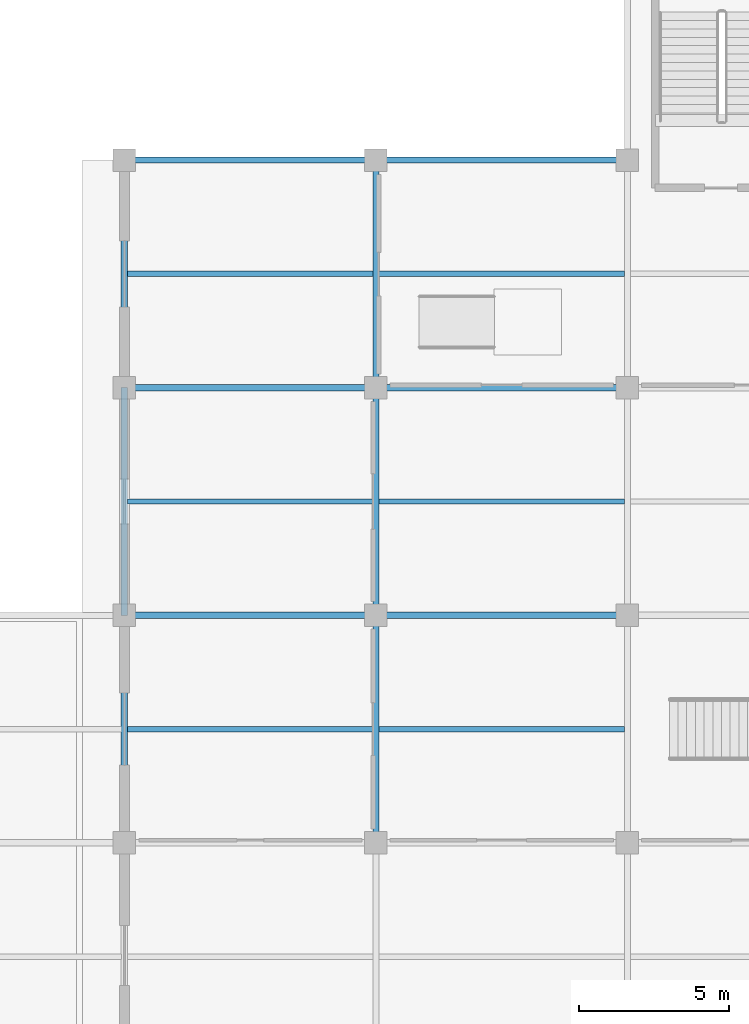
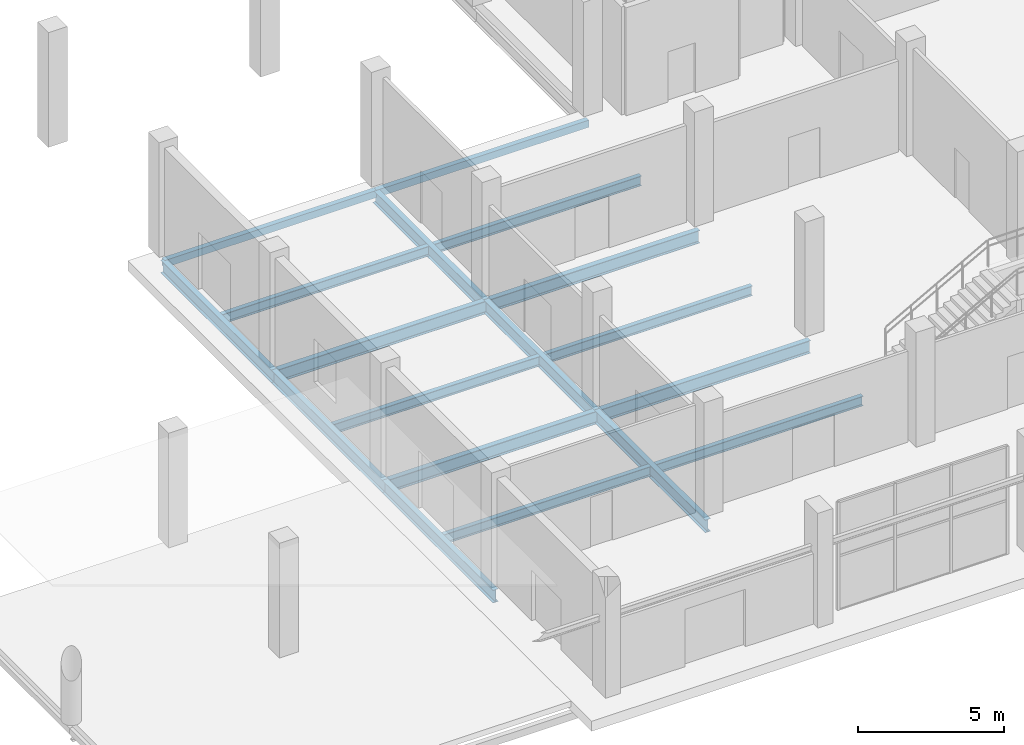
# One storey, part 4 of 36: 18 beams.
"""IFC4 building model written with IfcOpenShell, lengths in metres."""

from ifc_helpers import new_model, si_unit, direction, frame, origin, origin_2d, place, context, subcontext, project, spatial, hollow_rectangle, i_section, extrude, material, material_profile, profile_set, type_object, element, save


model = new_model("IFC4")

# Units and contexts
model_context = context("Model", 3, precision=1e-05, world=origin(), true_north=direction((0.0, 1.0)))
body_context = subcontext(model_context, "Body", "Model", "MODEL_VIEW")
ifc_project = project(units=[si_unit("LENGTHUNIT", "METRE"), si_unit("AREAUNIT", "SQUARE_METRE"), si_unit("VOLUMEUNIT", "CUBIC_METRE"), si_unit("PLANEANGLEUNIT", "RADIAN"), si_unit("MASSUNIT", "GRAM", prefix="KILO")], contexts=[model_context])

# Site, building, storey
site_placement = place(None, origin())
site = spatial("IfcSite", under=ifc_project, at=site_placement, CompositionType="ELEMENT")
building_placement = place(site_placement, origin())
building = spatial("IfcBuilding", under=site, at=building_placement, Name="Zuvorla Pavilion Media Centre", CompositionType="ELEMENT")
storey_placement = place(building_placement, origin())
storey = spatial("IfcBuildingStorey", under=building, at=storey_placement, Name="L00", CompositionType="ELEMENT", Elevation=0.0)

# Beams
ifc_material = material(Name="Steel S355", Category="steel")
ifc_material_profile_1 = material_profile(ifc_material, hollow_rectangle(XDim=0.199951171875, YDim=0.300048828125, WallThickness=0.012451171875, at=origin_2d()), Name="RHS 300x200x12.5")
ifc_profile_set_1 = profile_set([ifc_material_profile_1], Name="Steel S355")
beam_type_1 = type_object("IfcBeamType", Name="BM-SP-RHS300", PredefinedType="SPANDREL", material=ifc_profile_set_1)
beam_1_placement = place(storey_placement, frame((24.800048828125, 36.39990234375, -0.577880859375), z_axis=(1.0, 0.0, 0.0), x_axis=(0.0, 1.0, 0.0)))
element("IfcBeam", 1, at=beam_1_placement, inside=storey, type_object=beam_type_1, Name="L00 spandrel SP01 63", PredefinedType="SPANDREL", context=body_context, shape_type="SweptSolid", body=[
    extrude(hollow_rectangle(XDim=0.199951171875, YDim=0.300048828125, WallThickness=0.012451171875, at=origin_2d()), origin(), (0.0, 0.0, 1.0), 8.39990234375),
])
beam_2_placement = place(storey_placement, frame((33.199951171875, 36.39990234375, -0.577880859375), z_axis=(1.0, 0.0, 0.0), x_axis=(0.0, 1.0, 0.0)))
element("IfcBeam", 2, at=beam_2_placement, inside=storey, type_object=beam_type_1, Name="L00 spandrel SP01 64", PredefinedType="SPANDREL", context=body_context, shape_type="SweptSolid", body=[
    extrude(hollow_rectangle(XDim=0.199951171875, YDim=0.300048828125, WallThickness=0.012451171875, at=origin_2d()), origin(), (0.0, 0.0, 1.0), 8.400146484375),
])
ifc_material_profile_2 = material_profile(ifc_material, i_section(OverallWidth=0.1787109375, OverallDepth=0.409423828125, WebThickness=0.0087890625, FlangeThickness=0.014404296875, FilletRadius=0.01025390625, at=origin_2d()), Name="UB 406x178x67")
ifc_profile_set_2 = profile_set([ifc_material_profile_2], Name="Steel S355")
beam_type_2 = type_object("IfcBeamType", Name="BM-UB406", PredefinedType="JOIST", material=ifc_profile_set_2)
for number, where, z_axis, x_axis, name in (
    (3, (24.89990234375, 17.39990234375, -0.6328125), (1.0, 0.0, 0.0), (0.0, 1.0, 0.0), "L00 joist J02 324"),
    (4, (24.89990234375, 25.0, -0.6328125), (1.0, 0.0, 0.0), (0.0, 1.0, 0.0), "L00 joist J02 325"),
    (5, (24.89990234375, 32.60009765625, -0.6328125), (1.0, 0.0, 0.0), (0.0, 1.0, 0.0), "L00 joist J02 326"),
):
    element("IfcBeam", number, at=place(storey_placement, frame(where, z_axis=z_axis, x_axis=x_axis)), inside=storey, type_object=beam_type_2, Name=name, PredefinedType="JOIST", context=body_context, shape_type="SweptSolid", body=[
        extrude(i_section(OverallWidth=0.1787109375, OverallDepth=0.409423828125, WebThickness=0.0087890625, FlangeThickness=0.014404296875, FilletRadius=0.01025390625, at=origin_2d()), origin(), (0.0, 0.0, 1.0), 8.2001953125),
    ])
for number, where, z_axis, x_axis, name in (
    (6, (33.300048828125, 17.39990234375, -0.6328125), (1.0, 0.0, 0.0), (0.0, 1.0, 0.0), "L00 joist J02 336"),
    (7, (33.300048828125, 25.0, -0.6328125), (1.0, 0.0, 0.0), (0.0, 1.0, 0.0), "L00 joist J02 337"),
    (8, (33.300048828125, 32.60009765625, -0.6328125), (1.0, 0.0, 0.0), (0.0, 1.0, 0.0), "L00 joist J02 338"),
):
    element("IfcBeam", number, at=place(storey_placement, frame(where, z_axis=z_axis, x_axis=x_axis)), inside=storey, type_object=beam_type_2, Name=name, PredefinedType="JOIST", context=body_context, shape_type="SweptSolid", body=[
        extrude(i_section(OverallWidth=0.1787109375, OverallDepth=0.409423828125, WebThickness=0.0087890625, FlangeThickness=0.014404296875, FilletRadius=0.01025390625, at=origin_2d()), origin(), (0.0, 0.0, 1.0), 8.199951171875),
    ])
ifc_material_profile_3 = material_profile(ifc_material, i_section(OverallWidth=0.2099609375, OverallDepth=0.53662109375, WebThickness=0.0107421875, FlangeThickness=0.017333984375, FilletRadius=0.0126953125, at=origin_2d()), Name="UB 533x210x101")
ifc_profile_set_3 = profile_set([ifc_material_profile_3], Name="Steel S355")
beam_type_3 = type_object("IfcBeamType", Name="BM-UB533", PredefinedType="BEAM", material=ifc_profile_set_3)
beam_3_placement = place(storey_placement, frame((24.800048828125, 21.199951171875, -0.6962890625), z_axis=(1.0, 0.0, 0.0), x_axis=(0.0, 1.0, 0.0)))
element("IfcBeam", 9, at=beam_3_placement, inside=storey, type_object=beam_type_3, Name="L00 beam B08 37", PredefinedType="BEAM", context=body_context, shape_type="SweptSolid", body=[
    extrude(i_section(OverallWidth=0.2099609375, OverallDepth=0.53662109375, WebThickness=0.0107421875, FlangeThickness=0.017333984375, FilletRadius=0.0126953125, at=origin_2d()), origin(), (0.0, 0.0, 1.0), 8.39990234375),
])
beam_4_placement = place(storey_placement, frame((33.199951171875, 21.199951171875, -0.6962890625), z_axis=(1.0, 0.0, 0.0), x_axis=(0.0, 1.0, 0.0)))
element("IfcBeam", 10, at=beam_4_placement, inside=storey, type_object=beam_type_3, Name="L00 beam B08 38", PredefinedType="BEAM", context=body_context, shape_type="SweptSolid", body=[
    extrude(i_section(OverallWidth=0.2099609375, OverallDepth=0.53662109375, WebThickness=0.0107421875, FlangeThickness=0.017333984375, FilletRadius=0.0126953125, at=origin_2d()), origin(), (0.0, 0.0, 1.0), 8.400146484375),
])
beam_5_placement = place(storey_placement, frame((24.800048828125, 28.800048828125, -0.6962890625), z_axis=(1.0, 0.0, 0.0), x_axis=(0.0, 1.0, 0.0)))
element("IfcBeam", 11, at=beam_5_placement, inside=storey, type_object=beam_type_3, Name="L00 beam B08 51", PredefinedType="BEAM", context=body_context, shape_type="SweptSolid", body=[
    extrude(i_section(OverallWidth=0.2099609375, OverallDepth=0.53662109375, WebThickness=0.0107421875, FlangeThickness=0.017333984375, FilletRadius=0.0126953125, at=origin_2d()), origin(), (0.0, 0.0, 1.0), 8.39990234375),
])
beam_6_placement = place(storey_placement, frame((33.199951171875, 28.800048828125, -0.6962890625), z_axis=(1.0, 0.0, 0.0), x_axis=(0.0, 1.0, 0.0)))
element("IfcBeam", 12, at=beam_6_placement, inside=storey, type_object=beam_type_3, Name="L00 beam B08 52", PredefinedType="BEAM", context=body_context, shape_type="SweptSolid", body=[
    extrude(i_section(OverallWidth=0.2099609375, OverallDepth=0.53662109375, WebThickness=0.0107421875, FlangeThickness=0.017333984375, FilletRadius=0.0126953125, at=origin_2d()), origin(), (0.0, 0.0, 1.0), 8.400146484375),
])
beam_7_placement = place(storey_placement, frame((24.800048828125, 13.60009765625, -0.6962890625), z_axis=(0.0, 1.0, 0.0), x_axis=(-1.0, 0.0, 0.0)))
element("IfcBeam", 13, at=beam_7_placement, inside=storey, type_object=beam_type_3, Name="L00 beam B08 172", PredefinedType="BEAM", context=body_context, shape_type="SweptSolid", body=[
    extrude(i_section(OverallWidth=0.2099609375, OverallDepth=0.53662109375, WebThickness=0.0107421875, FlangeThickness=0.017333984375, FilletRadius=0.0126953125, at=origin_2d()), origin(), (0.0, 0.0, 1.0), 7.599853515625),
])
beam_8_placement = place(storey_placement, frame((24.800048828125, 21.199951171875, -0.6962890625), z_axis=(0.0, 1.0, 0.0), x_axis=(-1.0, 0.0, 0.0)))
element("IfcBeam", 14, at=beam_8_placement, inside=storey, type_object=beam_type_3, Name="L00 beam B08 173", PredefinedType="BEAM", context=body_context, shape_type="SweptSolid", body=[
    extrude(i_section(OverallWidth=0.2099609375, OverallDepth=0.53662109375, WebThickness=0.0107421875, FlangeThickness=0.017333984375, FilletRadius=0.0126953125, at=origin_2d()), origin(), (0.0, 0.0, 1.0), 7.60009765625),
])
for number, where, z_axis, x_axis, name in (
    (15, (24.800048828125, 28.800048828125, -0.6962890625), (0.0, 1.0, 0.0), (-1.0, 0.0, 0.0), "L00 beam B08 174"),
    (16, (33.199951171875, 13.60009765625, -0.6962890625), (0.0, 1.0, 0.0), (-1.0, 0.0, 0.0), "L00 beam B08 184"),
):
    element("IfcBeam", number, at=place(storey_placement, frame(where, z_axis=z_axis, x_axis=x_axis)), inside=storey, type_object=beam_type_3, Name=name, PredefinedType="BEAM", context=body_context, shape_type="SweptSolid", body=[
        extrude(i_section(OverallWidth=0.2099609375, OverallDepth=0.53662109375, WebThickness=0.0107421875, FlangeThickness=0.017333984375, FilletRadius=0.0126953125, at=origin_2d()), origin(), (0.0, 0.0, 1.0), 7.599853515625),
    ])
beam_9_placement = place(storey_placement, frame((33.199951171875, 21.199951171875, -0.6962890625), z_axis=(0.0, 1.0, 0.0), x_axis=(-1.0, 0.0, 0.0)))
element("IfcBeam", 17, at=beam_9_placement, inside=storey, type_object=beam_type_3, Name="L00 beam B08 185", PredefinedType="BEAM", context=body_context, shape_type="SweptSolid", body=[
    extrude(i_section(OverallWidth=0.2099609375, OverallDepth=0.53662109375, WebThickness=0.0107421875, FlangeThickness=0.017333984375, FilletRadius=0.0126953125, at=origin_2d()), origin(), (0.0, 0.0, 1.0), 7.60009765625),
])
beam_10_placement = place(storey_placement, frame((33.199951171875, 28.800048828125, -0.6962890625), z_axis=(0.0, 1.0, 0.0), x_axis=(-1.0, 0.0, 0.0)))
element("IfcBeam", 18, at=beam_10_placement, inside=storey, type_object=beam_type_3, Name="L00 beam B08 186", PredefinedType="BEAM", context=body_context, shape_type="SweptSolid", body=[
    extrude(i_section(OverallWidth=0.2099609375, OverallDepth=0.53662109375, WebThickness=0.0107421875, FlangeThickness=0.017333984375, FilletRadius=0.0126953125, at=origin_2d()), origin(), (0.0, 0.0, 1.0), 7.599853515625),
])

save(model, "model.ifc")
